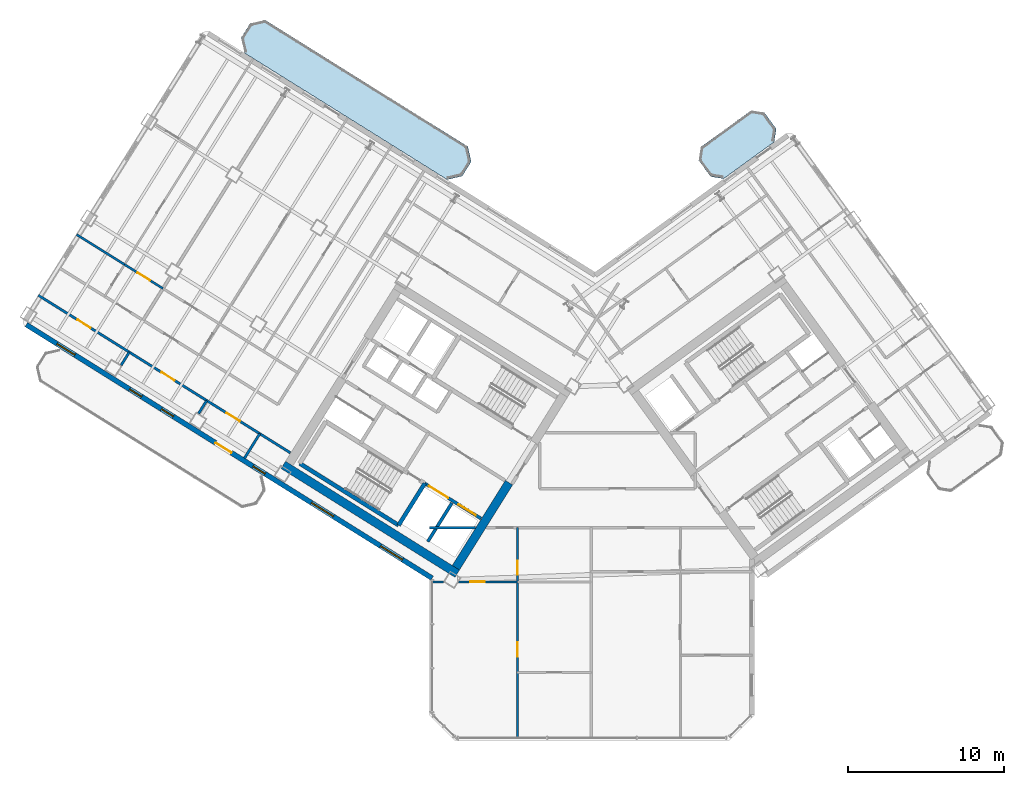
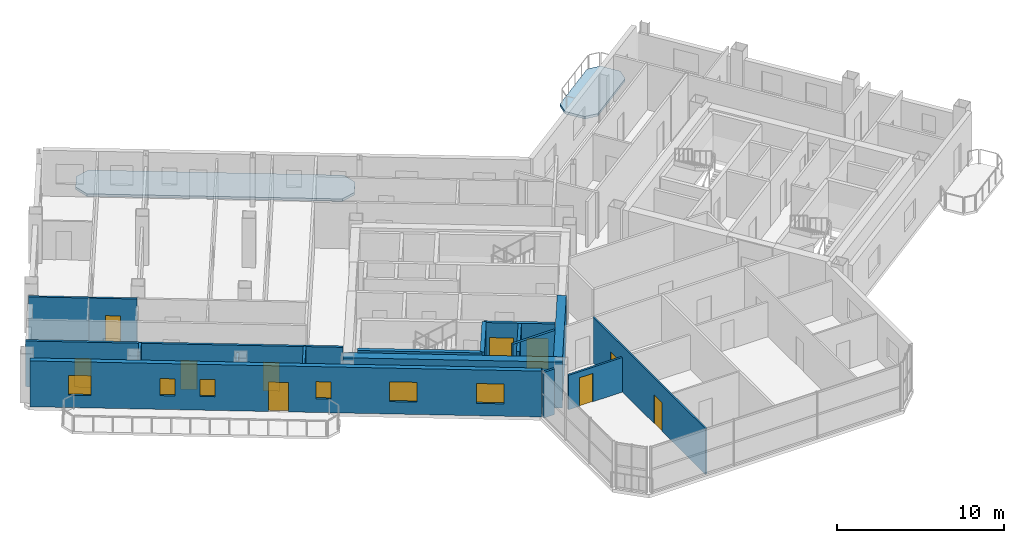
# One storey, part 11 of 20: 18 walls, 10 doors, 6 windows, 2 slabs, 16 openings.
"""IFC4 building model written with IfcOpenShell, lengths in metres."""

from ifc_helpers import new_model, si_unit, direction, frame, frame_2d, origin, place, context, subcontext, project, spatial, polyline, rectangle, outline, extrude, source, transform, mapped, material, layer, layer_set, type_object, element, fill, save


model = new_model("IFC4")

# Units and contexts
model_context = context("Model", 3, precision=1e-05, world=origin(), true_north=direction((0.0, 1.0)))
body_context = subcontext(model_context, "Body", "Model", "MODEL_VIEW")
ifc_project = project(units=[si_unit("LENGTHUNIT", "METRE"), si_unit("AREAUNIT", "SQUARE_METRE"), si_unit("VOLUMEUNIT", "CUBIC_METRE"), si_unit("PLANEANGLEUNIT", "RADIAN"), si_unit("MASSUNIT", "GRAM", prefix="KILO")], contexts=[model_context])

# Site, building, storey
site_placement = place(None, origin())
site = spatial("IfcSite", under=ifc_project, at=site_placement, CompositionType="ELEMENT")
building_placement = place(site_placement, origin())
building = spatial("IfcBuilding", under=site, at=building_placement, Name="Tlacorven Tower", CompositionType="ELEMENT")
storey_placement = place(building_placement, frame((0.0, 0.0, 204.0)))
storey = spatial("IfcBuildingStorey", under=building, at=storey_placement, Name="L51", CompositionType="ELEMENT", Elevation=204.0)

# Slabs
ifc_material_1 = material(Name="Precast concrete C45/55", Category="concrete")
ifc_layer_1 = layer(ifc_material_1, 0.179931640625)
ifc_layer_set_1 = layer_set([ifc_layer_1], Name="Precast concrete C45/55")
slab_type = type_object("IfcSlabType", Name="SL-BAL-180", PredefinedType="USERDEFINED", material=ifc_layer_set_1)
slab_1_placement = place(storey_placement, frame((0.0, 0.0, -0.179931640625)))
element("IfcSlab", 1, at=slab_1_placement, inside=storey, type_object=slab_type, Name="L51 West Wing Balcony Ribbon IN", ObjectType="BALCONY SLAB", PredefinedType="USERDEFINED", context=body_context, shape_type="SweptSolid", body=[
    extrude(outline(polyline([(34.0419921875, 39.835693359375), (21.06689453125, 47.943359375), (20.102294921875, 47.720703125), (19.52197265625, 46.7919921875), (19.744873046875, 45.827392578125), (32.719970703125, 37.7197265625), (33.6845703125, 37.9423828125), (34.2646484375, 38.87109375), (34.0419921875, 39.835693359375)])), origin(), (0.0, 0.0, 1.0), 0.179931640625),
])
slab_2_placement = place(storey_placement, frame((0.0, 0.0, -0.179931640625)))
element("IfcSlab", 2, at=slab_2_placement, inside=storey, type_object=slab_type, Name="L51 East Wing Balcony Ribbon IN", ObjectType="BALCONY SLAB", PredefinedType="USERDEFINED", context=body_context, shape_type="SweptSolid", body=[
    extrude(outline(polyline([(50.433837890625, 37.77880859375), (53.669921875, 40.1298828125), (53.802490234375, 40.968017578125), (53.04150390625, 42.015625), (52.203369140625, 42.1484375), (48.96728515625, 39.79736328125), (48.83447265625, 38.959228515625), (49.595703125, 37.91162109375), (50.433837890625, 37.77880859375)])), origin(), (0.0, 0.0, 1.0), 0.179931640625),
])

# Walls
ifc_material_2 = material(Name="Concrete C60/75", Category="concrete")
ifc_layer_2 = layer(ifc_material_2, 0.550048828125)
ifc_layer_set_2 = layer_set([ifc_layer_2], Name="Concrete C60/75")
wall_type_1 = type_object("IfcWallType", Name="WL-COR-550", PredefinedType="SHEAR", material=ifc_layer_set_2)
wall_1_placement = place(storey_placement, frame((33.3662109375, 12.4765625, 0.0), z_axis=(0.0, 0.0, 1.0), x_axis=(-0.848047359947, 0.529920442413, 0.0)))
element("IfcWall", 3, at=wall_1_placement, inside=storey, type_object=wall_type_1, Name="L51 W core shear wall S2", PredefinedType="SHEAR", context=body_context, shape_type="SweptSolid", body=[
    extrude(rectangle(XDim=13.139892578125, YDim=0.550048828125, at=frame_2d((6.56982421875, 0.0))), origin(), (0.0, 0.0, 1.0), 3.35009765625),
])
wall_2_placement = place(storey_placement, frame((36.683349609375, 18.30419921875, 0.0), z_axis=(0.0, 0.0, 1.0), x_axis=(-0.529896466841, -0.848062341122, 0.0)))
element("IfcWall", 4, at=wall_2_placement, inside=storey, type_object=wall_type_1, Name="L51 W core end wall E1.2", PredefinedType="SHEAR", context=body_context, shape_type="SweptSolid", body=[
    extrude(rectangle(XDim=6.4248046875, YDim=0.550048828125, at=frame_2d((3.21240234375, 0.0))), origin(), (0.0, 0.0, 1.0), 3.35009765625),
])
ifc_material_3 = material(Name="Gypsum plasterboard acoustic partition", Category="gypsum")
ifc_layer_3 = layer(ifc_material_3, 0.159912109375)
ifc_layer_set_3 = layer_set([ifc_layer_3], Name="Gypsum plasterboard acoustic partition")
wall_type_2 = type_object("IfcWallType", Name="WL-DEM-160", PredefinedType="PARTITIONING", material=ifc_layer_set_3)
wall_3_placement = place(storey_placement, frame((22.677001953125, 20.217041015625, 0.0), z_axis=(0.0, 0.0, 1.0), x_axis=(-0.848057719594, 0.529903863203, 0.0)))
element("IfcWall", 5, at=wall_3_placement, inside=storey, type_object=wall_type_2, Name="L51 partition 46", PredefinedType="PARTITIONING", context=body_context, shape_type="SweptSolid", body=[
    extrude(rectangle(XDim=2.308349609375, YDim=0.159912109375, at=frame_2d((1.154296875, 0.0))), origin(), (0.0, 0.0, 1.0), 3.340087890625),
])
wall_4_placement = place(storey_placement, frame((20.719482421875, 21.440185546875, 0.0), z_axis=(0.0, 0.0, 1.0), x_axis=(-0.529880305451, -0.848072439061, 0.0)))
element("IfcWall", 6, at=wall_4_placement, inside=storey, type_object=wall_type_2, Name="L51 partition 48", PredefinedType="PARTITIONING", context=body_context, shape_type="SweptSolid", body=[
    extrude(rectangle(XDim=1.849853515625, YDim=0.159912109375, at=frame_2d((0.9248046875, 0.0))), origin(), (0.0, 0.0, 1.0), 3.340087890625),
])

# Wall, openings, doors
wall_5_placement = place(storey_placement, frame((20.719482421875, 21.440185546875, 0.0), z_axis=(0.0, 0.0, 1.0), x_axis=(-0.848048310262, 0.529918921593, 0.0)))
wall_5 = element("IfcWall", 7, at=wall_5_placement, inside=storey, type_object=wall_type_2, Name="L51 Wing W Corridor North Wall", PredefinedType="PARTITIONING", context=body_context, shape_type="SweptSolid", body=[
    extrude(rectangle(XDim=16.72998046875, YDim=0.159912109375, at=frame_2d((8.364990234375, 0.0))), origin(), (0.0, 0.0, 1.0), 3.340087890625),
])
opening_1_placement = place(wall_5_placement, frame((1.5048828125, 0.0, 0.0)))
opening_1 = element("IfcOpeningElement", 8, at=opening_1_placement, cuts=wall_5, Name="Opening D11", PredefinedType="OPENING", context=body_context, shape_type="SweptSolid", body=[
    extrude(rectangle(XDim=1.0, YDim=2.10009765625, at=frame_2d((0.5, 1.050048828125))), frame((0.0, 0.08984375, 0.0), z_axis=(0.0, -1.0, 0.0), x_axis=(1.0, 0.0, 0.0)), (0.0, 0.0, 1.0), 0.179931640625),
])
opening_2_placement = place(wall_5_placement, frame((6.4345703125, 0.0, 0.0)))
opening_2 = element("IfcOpeningElement", 9, at=opening_2_placement, cuts=wall_5, Name="Opening D11", PredefinedType="OPENING", context=body_context, shape_type="SweptSolid", body=[
    extrude(rectangle(XDim=1.0, YDim=2.10009765625, at=frame_2d((0.5, 1.050048828125))), frame((0.0, 0.08984375, 0.0), z_axis=(0.0, -1.0, 0.0), x_axis=(1.0, 0.0, 0.0)), (0.0, 0.0, 1.0), 0.179931640625),
])
opening_3_placement = place(wall_5_placement, frame((12.784423828125, 0.0, 0.0)))
opening_3 = element("IfcOpeningElement", 10, at=opening_3_placement, cuts=wall_5, Name="Opening D11", PredefinedType="OPENING", context=body_context, shape_type="SweptSolid", body=[
    extrude(rectangle(XDim=1.0, YDim=2.10009765625, at=frame_2d((0.5, 1.050048828125))), frame((0.0, 0.08984375, 0.0), z_axis=(0.0, -1.0, 0.0), x_axis=(1.0, 0.0, 0.0)), (0.0, 0.0, 1.0), 0.179931640625),
])
ifc_material_4 = material(Name="Fire-rated steel door assembly", Category="steel")
door_type_1 = type_object("IfcDoorType", Name="DR-FLT-FD60-1000", OperationType="NOTDEFINED", PredefinedType="DOOR", material=ifc_material_4)
shared_shape_1 = source(origin(), body_context, "Body", "SweptSolid", [
    extrude(rectangle(XDim=1.0, YDim=2.10009765625, at=frame_2d((0.5, 1.050048828125))), frame((0.0, 0.02490234375, 0.0), z_axis=(0.0, -1.0, 0.0), x_axis=(1.0, 0.0, 0.0)), (0.0, 0.0, 1.0), 0.050048828125),
])
door_1_placement = place(opening_1_placement, origin())
door_1 = element("IfcDoor", 11, at=door_1_placement, inside=storey, type_object=door_type_1, Name="L51 door 020", OperationType="SINGLE_SWING_RIGHT", OverallHeight=2.10009765625, OverallWidth=1.0, PredefinedType="DOOR", context=body_context, shape_type="MappedRepresentation", body=[
    mapped(shared_shape_1, transform((0.0, 0.0, 0.0), scale=1.0)),
])
fill(opening_1, door_1)
door_2_placement = place(opening_2_placement, origin())
door_2 = element("IfcDoor", 12, at=door_2_placement, inside=storey, type_object=door_type_1, Name="L51 door 021", OperationType="SINGLE_SWING_LEFT", OverallHeight=2.10009765625, OverallWidth=1.0, PredefinedType="DOOR", context=body_context, shape_type="MappedRepresentation", body=[
    mapped(shared_shape_1, transform((0.0, 0.0, 0.0), scale=1.0)),
])
fill(opening_2, door_2)
door_3_placement = place(opening_3_placement, origin())
door_3 = element("IfcDoor", 13, at=door_3_placement, inside=storey, type_object=door_type_1, Name="L51 door 022", OperationType="SINGLE_SWING_RIGHT", OverallHeight=2.10009765625, OverallWidth=1.0, PredefinedType="DOOR", context=body_context, shape_type="MappedRepresentation", body=[
    mapped(shared_shape_1, transform((0.0, 0.0, 0.0), scale=1.0)),
])
fill(opening_3, door_3)

# Walls
wall_6_placement = place(storey_placement, frame((17.31884765625, 23.565185546875, 0.0), z_axis=(0.0, 0.0, 1.0), x_axis=(-0.529821225456, -0.848109349704, 0.0)))
element("IfcWall", 14, at=wall_6_placement, inside=storey, type_object=wall_type_2, Name="L51 partition 51", PredefinedType="PARTITIONING", context=body_context, shape_type="SweptSolid", body=[
    extrude(rectangle(XDim=0.988037109375, YDim=0.159912109375, at=frame_2d((0.494140625, 0.0))), origin(), (0.0, 0.0, 1.0), 2.824951171875),
])
wall_7_placement = place(storey_placement, frame((12.358642578125, 26.664794921875, 0.0), z_axis=(0.0, 0.0, 1.0), x_axis=(-0.529821225456, -0.848109349704, 0.0)))
element("IfcWall", 15, at=wall_7_placement, inside=storey, type_object=wall_type_2, Name="L51 partition 52", PredefinedType="PARTITIONING", context=body_context, shape_type="SweptSolid", body=[
    extrude(rectangle(XDim=0.988037109375, YDim=0.159912109375, at=frame_2d((0.494140625, 0.0))), origin(), (0.0, 0.0, 1.0), 3.340087890625),
])
wall_8_placement = place(storey_placement, frame((31.60009765625, 15.419921875, 0.0), z_axis=(0.0, 0.0, 1.0), x_axis=(1.0, 0.0, 0.0)))
element("IfcWall", 16, at=wall_8_placement, inside=storey, type_object=wall_type_2, Name="L51 Knuckle Corridor South Wall", PredefinedType="PARTITIONING", context=body_context, shape_type="SweptSolid", body=[
    extrude(rectangle(XDim=2.925048828125, YDim=0.159912109375, at=frame_2d((1.46240234375, 0.0))), origin(), (0.0, 0.0, 1.0), 3.340087890625),
])

# Wall, openings, door, windows
ifc_layer_4 = layer(ifc_material_1, 0.320068359375)
ifc_layer_set_4 = layer_set([ifc_layer_4], Name="Precast concrete C45/55")
wall_type_3 = type_object("IfcWallType", Name="WL-EXT-320", PredefinedType="STANDARD", material=ifc_layer_set_4)
wall_9_placement = place(storey_placement, frame((31.760009765625, 12.18310546875, 0.0), z_axis=(0.0, 0.0, 1.0), x_axis=(-0.848047074256, 0.529920899612, 0.0)))
wall_9 = element("IfcWall", 17, at=wall_9_placement, inside=storey, type_object=wall_type_3, Name="L51 Masonry-Frame Recessed Facade Wall 1", PredefinedType="STANDARD", context=body_context, shape_type="SweptSolid", body=[
    extrude(rectangle(XDim=30.652099609375, YDim=0.320068359375, at=frame_2d((15.326171875, 0.0))), origin(), (0.0, 0.0, 1.0), 3.35009765625),
])
opening_4_placement = place(wall_9_placement, frame((15.165771484375, 0.0, 0.0)))
opening_4 = element("IfcOpeningElement", 18, at=opening_4_placement, cuts=wall_9, Name="Opening D05", PredefinedType="OPENING", context=body_context, shape_type="SweptSolid", body=[
    extrude(rectangle(XDim=1.199951171875, YDim=2.14990234375, at=frame_2d((0.60009765625, 1.074951171875))), frame((0.0, 0.169921875, 0.0), z_axis=(0.0, -1.0, 0.0), x_axis=(1.0, 0.0, 0.0)), (0.0, 0.0, 1.0), 0.340087890625),
])
opening_5_placement = place(wall_9_placement, frame((2.239501953125, 0.0, 0.89990234375)))
opening_5 = element("IfcOpeningElement", 19, at=opening_5_placement, cuts=wall_9, Name="Opening WN07", PredefinedType="OPENING", context=body_context, shape_type="SweptSolid", body=[
    extrude(rectangle(XDim=1.64990234375, YDim=1.449951171875, at=frame_2d((0.824951171875, 0.72509765625))), frame((0.0, 0.169921875, 0.0), z_axis=(0.0, -1.0, 0.0), x_axis=(1.0, 0.0, 0.0)), (0.0, 0.0, 1.0), 0.340087890625),
])
opening_6_placement = place(wall_9_placement, frame((7.46875, 0.0, 0.89990234375)))
opening_6 = element("IfcOpeningElement", 20, at=opening_6_placement, cuts=wall_9, Name="Opening WN07", PredefinedType="OPENING", context=body_context, shape_type="SweptSolid", body=[
    extrude(rectangle(XDim=1.64990234375, YDim=1.449951171875, at=frame_2d((0.824951171875, 0.72509765625))), frame((0.0, 0.169921875, 0.0), z_axis=(0.0, -1.0, 0.0), x_axis=(1.0, 0.0, 0.0)), (0.0, 0.0, 1.0), 0.340087890625),
])
opening_7_placement = place(wall_9_placement, frame((12.623291015625, 0.0, 1.0)))
opening_7 = element("IfcOpeningElement", 21, at=opening_7_placement, cuts=wall_9, Name="Opening WN05", PredefinedType="OPENING", context=body_context, shape_type="SweptSolid", body=[
    extrude(rectangle(XDim=0.89990234375, YDim=1.25, at=frame_2d((0.449951171875, 0.625))), frame((0.0, 0.169921875, 0.0), z_axis=(0.0, -1.0, 0.0), x_axis=(1.0, 0.0, 0.0)), (0.0, 0.0, 1.0), 0.340087890625),
])
opening_8_placement = place(wall_9_placement, frame((19.5556640625, 0.0, 1.0)))
opening_8 = element("IfcOpeningElement", 22, at=opening_8_placement, cuts=wall_9, Name="Opening WN05", PredefinedType="OPENING", context=body_context, shape_type="SweptSolid", body=[
    extrude(rectangle(XDim=0.89990234375, YDim=1.25, at=frame_2d((0.449951171875, 0.625))), frame((0.0, 0.169921875, 0.0), z_axis=(0.0, -1.0, 0.0), x_axis=(1.0, 0.0, 0.0)), (0.0, 0.0, 1.0), 0.340087890625),
])
opening_9_placement = place(wall_9_placement, frame((21.9501953125, 0.0, 1.0)))
opening_9 = element("IfcOpeningElement", 23, at=opening_9_placement, cuts=wall_9, Name="Opening WN05", PredefinedType="OPENING", context=body_context, shape_type="SweptSolid", body=[
    extrude(rectangle(XDim=0.89990234375, YDim=1.25, at=frame_2d((0.449951171875, 0.625))), frame((0.0, 0.169921875, 0.0), z_axis=(0.0, -1.0, 0.0), x_axis=(1.0, 0.0, 0.0)), (0.0, 0.0, 1.0), 0.340087890625),
])
opening_10_placement = place(wall_9_placement, frame((26.9833984375, 0.0, 0.89990234375)))
opening_10 = element("IfcOpeningElement", 24, at=opening_10_placement, cuts=wall_9, Name="Opening WN08", PredefinedType="OPENING", context=body_context, shape_type="SweptSolid", body=[
    extrude(rectangle(XDim=1.35009765625, YDim=1.449951171875, at=frame_2d((0.675048828125, 0.72509765625))), frame((0.0, 0.169921875, 0.0), z_axis=(0.0, -1.0, 0.0), x_axis=(1.0, 0.0, 0.0)), (0.0, 0.0, 1.0), 0.340087890625),
])
ifc_material_5 = material(Name="Powder-coated aluminium and timber door", Category="wood")
door_type_2 = type_object("IfcDoorType", Name="DR-EXT-BALC-1200", OperationType="NOTDEFINED", PredefinedType="DOOR", material=ifc_material_5)
shared_shape_2 = source(origin(), body_context, "Body", "SweptSolid", [
    extrude(rectangle(XDim=1.199951171875, YDim=2.14990234375, at=frame_2d((0.60009765625, 1.074951171875))), frame((0.0, 0.02490234375, 0.0), z_axis=(0.0, -1.0, 0.0), x_axis=(1.0, 0.0, 0.0)), (0.0, 0.0, 1.0), 0.050048828125),
])
door_4_placement = place(opening_4_placement, origin())
door_4 = element("IfcDoor", 25, at=door_4_placement, inside=storey, type_object=door_type_2, Name="L51 Outdoor Access Door BAL-L51-W-OUT", OperationType="SINGLE_SWING_LEFT", OverallHeight=2.14990234375, OverallWidth=1.199951171875, PredefinedType="DOOR", context=body_context, shape_type="MappedRepresentation", body=[
    mapped(shared_shape_2, transform((0.0, 0.0, 0.0), scale=1.0)),
])
fill(opening_4, door_4)
ifc_material_6 = material(Name="Dark solar low-E double glazing in anodised aluminium frame", Category="aluminium")
window_type_1 = type_object("IfcWindowType", Name="WN-APT-0900X1350", PartitioningType="SINGLE_PANEL", PredefinedType="WINDOW", material=ifc_material_6)
shared_shape_3 = source(origin(), body_context, "Body", "SweptSolid", [
    extrude(rectangle(XDim=0.89990234375, YDim=1.25, at=frame_2d((0.449951171875, 0.625))), frame((0.0, 0.030029296875, 0.0), z_axis=(0.0, -1.0, 0.0), x_axis=(1.0, 0.0, 0.0)), (0.0, 0.0, 1.0), 0.06005859375),
])
window_1_placement = place(opening_7_placement, origin())
window_1 = element("IfcWindow", 26, at=window_1_placement, inside=storey, type_object=window_type_1, Name="L51 Recessed Masonry-Frame Window L51-01.3", OverallHeight=1.25, OverallWidth=0.89990234375, PartitioningType="SINGLE_PANEL", PredefinedType="WINDOW", context=body_context, shape_type="MappedRepresentation", body=[
    mapped(shared_shape_3, transform((0.0, 0.0, 0.0), scale=1.0)),
])
fill(opening_7, window_1)
window_2_placement = place(opening_8_placement, origin())
window_2 = element("IfcWindow", 27, at=window_2_placement, inside=storey, type_object=window_type_1, Name="L51 Recessed Masonry-Frame Window L51-01.4", OverallHeight=1.25, OverallWidth=0.89990234375, PartitioningType="SINGLE_PANEL", PredefinedType="WINDOW", context=body_context, shape_type="MappedRepresentation", body=[
    mapped(shared_shape_3, transform((0.0, 0.0, 0.0), scale=1.0)),
])
fill(opening_8, window_2)
window_3_placement = place(opening_9_placement, origin())
window_3 = element("IfcWindow", 28, at=window_3_placement, inside=storey, type_object=window_type_1, Name="L51 Recessed Masonry-Frame Window L51-01.5", OverallHeight=1.25, OverallWidth=0.89990234375, PartitioningType="SINGLE_PANEL", PredefinedType="WINDOW", context=body_context, shape_type="MappedRepresentation", body=[
    mapped(shared_shape_3, transform((0.0, 0.0, 0.0), scale=1.0)),
])
fill(opening_9, window_3)
window_type_2 = type_object("IfcWindowType", Name="WN-APT-1650X1600", PartitioningType="SINGLE_PANEL", PredefinedType="WINDOW", material=ifc_material_6)
shared_shape_4 = source(origin(), body_context, "Body", "SweptSolid", [
    extrude(rectangle(XDim=1.64990234375, YDim=1.449951171875, at=frame_2d((0.824951171875, 0.72509765625))), frame((0.0, 0.030029296875, 0.0), z_axis=(0.0, -1.0, 0.0), x_axis=(1.0, 0.0, 0.0)), (0.0, 0.0, 1.0), 0.06005859375),
])
window_4_placement = place(opening_5_placement, origin())
window_4 = element("IfcWindow", 29, at=window_4_placement, inside=storey, type_object=window_type_2, Name="L51 Recessed Masonry-Frame Window L51-01.1", OverallHeight=1.449951171875, OverallWidth=1.64990234375, PartitioningType="SINGLE_PANEL", PredefinedType="WINDOW", context=body_context, shape_type="MappedRepresentation", body=[
    mapped(shared_shape_4, transform((0.0, 0.0, 0.0), scale=1.0)),
])
fill(opening_5, window_4)
window_5_placement = place(opening_6_placement, origin())
window_5 = element("IfcWindow", 30, at=window_5_placement, inside=storey, type_object=window_type_2, Name="L51 Recessed Masonry-Frame Window L51-01.2", OverallHeight=1.449951171875, OverallWidth=1.64990234375, PartitioningType="SINGLE_PANEL", PredefinedType="WINDOW", context=body_context, shape_type="MappedRepresentation", body=[
    mapped(shared_shape_4, transform((0.0, 0.0, 0.0), scale=1.0)),
])
fill(opening_6, window_5)
window_type_3 = type_object("IfcWindowType", Name="WN-APT-1350X1550", PartitioningType="SINGLE_PANEL", PredefinedType="WINDOW", material=ifc_material_6)
shared_shape_5 = source(origin(), body_context, "Body", "SweptSolid", [
    extrude(rectangle(XDim=1.35009765625, YDim=1.449951171875, at=frame_2d((0.675048828125, 0.72509765625))), frame((0.0, 0.030029296875, 0.0), z_axis=(0.0, -1.0, 0.0), x_axis=(1.0, 0.0, 0.0)), (0.0, 0.0, 1.0), 0.06005859375),
])
window_6_placement = place(opening_10_placement, origin())
window_6 = element("IfcWindow", 31, at=window_6_placement, inside=storey, type_object=window_type_3, Name="L51 Recessed Masonry-Frame Window L51-01.6", OverallHeight=1.449951171875, OverallWidth=1.35009765625, PartitioningType="SINGLE_PANEL", PredefinedType="WINDOW", context=body_context, shape_type="MappedRepresentation", body=[
    mapped(shared_shape_5, transform((0.0, 0.0, 0.0), scale=1.0)),
])
fill(opening_10, window_6)

# Wall, openings, doors
ifc_material_7 = material(Name="Gypsum plasterboard partition", Category="gypsum")
ifc_layer_5 = layer(ifc_material_7, 0.110107421875)
ifc_layer_set_5 = layer_set([ifc_layer_5], Name="Gypsum plasterboard partition")
wall_type_4 = type_object("IfcWallType", Name="WL-INT-110", PredefinedType="PARTITIONING", material=ifc_layer_set_5)
wall_10_placement = place(storey_placement, frame((37.221923828125, 1.9599609375, 0.0), z_axis=(0.0, 0.0, 1.0), x_axis=(0.0, 1.0, 0.0)))
wall_10 = element("IfcWall", 32, at=wall_10_placement, inside=storey, type_object=wall_type_4, Name="L51 partition 76", PredefinedType="PARTITIONING", context=body_context, shape_type="SweptSolid", body=[
    extrude(rectangle(XDim=13.4599609375, YDim=0.110107421875, at=frame_2d((6.72998046875, 0.0))), origin(), (0.0, 0.0, 1.0), 3.340087890625),
])
opening_11_placement = place(wall_10_placement, frame((5.199951171875, 0.0, 0.0)))
opening_11 = element("IfcOpeningElement", 33, at=opening_11_placement, cuts=wall_10, Name="Opening D12", PredefinedType="OPENING", context=body_context, shape_type="SweptSolid", body=[
    extrude(rectangle(XDim=0.919921875, YDim=2.080078125, at=frame_2d((0.4599609375, 1.0400390625))), frame((0.0, 0.06494140625, 0.0), z_axis=(0.0, -1.0, 0.0), x_axis=(1.0, 0.0, 0.0)), (0.0, 0.0, 1.0), 0.130126953125),
])
opening_12_placement = place(wall_10_placement, frame((10.449951171875, 0.0, 0.0)))
opening_12 = element("IfcOpeningElement", 34, at=opening_12_placement, cuts=wall_10, Name="Opening D13", PredefinedType="OPENING", context=body_context, shape_type="SweptSolid", body=[
    extrude(rectangle(XDim=0.8798828125, YDim=2.080078125, at=frame_2d((0.43994140625, 1.0400390625))), frame((0.0, 0.06494140625, 0.0), z_axis=(0.0, -1.0, 0.0), x_axis=(1.0, 0.0, 0.0)), (0.0, 0.0, 1.0), 0.130126953125),
])
door_type_3 = type_object("IfcDoorType", Name="DR-INT-WET-0880", OperationType="NOTDEFINED", PredefinedType="DOOR", material=ifc_material_5)
shared_shape_6 = source(origin(), body_context, "Body", "SweptSolid", [
    extrude(rectangle(XDim=0.8798828125, YDim=2.080078125, at=frame_2d((0.43994140625, 1.0400390625))), frame((0.0, 0.02490234375, 0.0), z_axis=(0.0, -1.0, 0.0), x_axis=(1.0, 0.0, 0.0)), (0.0, 0.0, 1.0), 0.050048828125),
])
door_5_placement = place(opening_12_placement, origin())
door_5 = element("IfcDoor", 35, at=door_5_placement, inside=storey, type_object=door_type_3, Name="L51 door 045", OperationType="SINGLE_SWING_LEFT", OverallHeight=2.080078125, OverallWidth=0.8798828125, PredefinedType="DOOR", context=body_context, shape_type="MappedRepresentation", body=[
    mapped(shared_shape_6, transform((0.0, 0.0, 0.0), scale=1.0)),
])
fill(opening_12, door_5)
door_type_4 = type_object("IfcDoorType", Name="DR-INT-ROOM-0920", OperationType="NOTDEFINED", PredefinedType="DOOR", material=ifc_material_5)
shared_shape_7 = source(origin(), body_context, "Body", "SweptSolid", [
    extrude(rectangle(XDim=0.919921875, YDim=2.080078125, at=frame_2d((0.4599609375, 1.0400390625))), frame((0.0, 0.02490234375, 0.0), z_axis=(0.0, -1.0, 0.0), x_axis=(1.0, 0.0, 0.0)), (0.0, 0.0, 1.0), 0.050048828125),
])
door_6_placement = place(opening_11_placement, origin())
door_6 = element("IfcDoor", 36, at=door_6_placement, inside=storey, type_object=door_type_4, Name="L51 door 041", OperationType="SINGLE_SWING_LEFT", OverallHeight=2.080078125, OverallWidth=0.919921875, PredefinedType="DOOR", context=body_context, shape_type="MappedRepresentation", body=[
    mapped(shared_shape_7, transform((0.0, 0.0, 0.0), scale=1.0)),
])
fill(opening_11, door_6)

# Wall, opening, door
ifc_material_8 = material(Name="Moisture-resistant gypsum plumbing wall", Category="gypsum")
ifc_layer_6 = layer(ifc_material_8, 0.139892578125)
ifc_layer_set_6 = layer_set([ifc_layer_6], Name="Moisture-resistant gypsum plumbing wall")
wall_type_5 = type_object("IfcWallType", Name="WL-PLM-140", PredefinedType="PLUMBINGWALL", material=ifc_layer_set_6)
wall_11_placement = place(storey_placement, frame((14.515625, 30.7412109375, 0.0), z_axis=(0.0, 0.0, 1.0), x_axis=(-0.848059786386, 0.529900555496, 0.0)))
wall_11 = element("IfcWall", 37, at=wall_11_placement, inside=storey, type_object=wall_type_5, Name="L51 partition 61", PredefinedType="PLUMBINGWALL", context=body_context, shape_type="SweptSolid", body=[
    extrude(rectangle(XDim=2.89990234375, YDim=0.139892578125, at=frame_2d((1.449951171875, 0.0))), origin(), (0.0, 0.0, 1.0), 3.340087890625),
])
opening_13_placement = place(wall_11_placement, frame((0.989990234375, 0.0, 0.0)))
opening_13 = element("IfcOpeningElement", 38, at=opening_13_placement, cuts=wall_11, Name="Opening D12", PredefinedType="OPENING", context=body_context, shape_type="SweptSolid", body=[
    extrude(rectangle(XDim=0.919921875, YDim=2.080078125, at=frame_2d((0.4599609375, 1.0400390625))), frame((0.0, 0.080078125, 0.0), z_axis=(0.0, -1.0, 0.0), x_axis=(1.0, 0.0, 0.0)), (0.0, 0.0, 1.0), 0.159912109375),
])
door_7_placement = place(opening_13_placement, origin())
door_7 = element("IfcDoor", 39, at=door_7_placement, inside=storey, type_object=door_type_4, Name="L51 door 031", OperationType="SINGLE_SWING_LEFT", OverallHeight=2.080078125, OverallWidth=0.919921875, PredefinedType="DOOR", context=body_context, shape_type="MappedRepresentation", body=[
    mapped(shared_shape_7, transform((0.0, 0.0, 0.0), scale=1.0)),
])
fill(opening_13, door_7)

# Walls
wall_12_placement = place(storey_placement, frame((12.056396484375, 32.27783203125, 0.0), z_axis=(0.0, 0.0, 1.0), x_axis=(-0.848039976902, 0.529932257535, 0.0)))
element("IfcWall", 40, at=wall_12_placement, inside=storey, type_object=wall_type_5, Name="L51 partition 62", PredefinedType="PLUMBINGWALL", context=body_context, shape_type="SweptSolid", body=[
    extrude(rectangle(XDim=3.6201171875, YDim=0.139892578125, at=frame_2d((1.81005859375, 0.0))), origin(), (0.0, 0.0, 1.0), 3.340087890625),
])
wall_13_placement = place(storey_placement, frame((31.739990234375, 11.949951171875, 0.0), z_axis=(0.0, 0.0, 1.0), x_axis=(1.0, 0.0, 0.0)))
element("IfcWall", 41, at=wall_13_placement, inside=storey, type_object=wall_type_5, Name="L51 partition 77", PredefinedType="PLUMBINGWALL", context=body_context, shape_type="SweptSolid", body=[
    extrude(rectangle(XDim=0.747802734375, YDim=0.139892578125, at=frame_2d((0.3740234375, 0.0))), origin(), (0.0, 0.0, 1.0), 3.340087890625),
])

# Wall, opening, door
wall_14_placement = place(storey_placement, frame((33.446533203125, 11.949951171875, 0.0), z_axis=(0.0, 0.0, 1.0), x_axis=(1.0, 0.0, 0.0)))
wall_14 = element("IfcWall", 42, at=wall_14_placement, inside=storey, type_object=wall_type_5, Name="L51 partition 77", PredefinedType="PLUMBINGWALL", context=body_context, shape_type="SweptSolid", body=[
    extrude(rectangle(XDim=3.775390625, YDim=0.139892578125, at=frame_2d((1.8876953125, 0.0))), origin(), (0.0, 0.0, 1.0), 2.52490234375),
])
opening_14_placement = place(wall_14_placement, frame((0.754638671875, 0.0, 0.0)))
opening_14 = element("IfcOpeningElement", 43, at=opening_14_placement, cuts=wall_14, Name="Opening D12", PredefinedType="OPENING", context=body_context, shape_type="SweptSolid", body=[
    extrude(rectangle(XDim=0.919921875, YDim=2.080078125, at=frame_2d((0.4599609375, 1.0400390625))), frame((0.0, 0.080078125, 0.0), z_axis=(0.0, -1.0, 0.0), x_axis=(1.0, 0.0, 0.0)), (0.0, 0.0, 1.0), 0.159912109375),
])
door_8_placement = place(opening_14_placement, frame((0.919921875, 0.0, 0.0), z_axis=(0.0, 0.0, 1.0), x_axis=(-1.0, 0.0, 0.0)))
door_8 = element("IfcDoor", 44, at=door_8_placement, inside=storey, type_object=door_type_4, Name="L51 door 044", OperationType="SINGLE_SWING_RIGHT", OverallHeight=2.080078125, OverallWidth=0.919921875, PredefinedType="DOOR", context=body_context, shape_type="MappedRepresentation", body=[
    mapped(shared_shape_7, transform((0.0, 0.0, 0.0), scale=1.0)),
])
fill(opening_14, door_8)

# Wall, openings, doors
ifc_material_9 = material(Name="Concrete C40/50", Category="concrete")
ifc_layer_7 = layer(ifc_material_9, 0.199951171875)
ifc_layer_set_7 = layer_set([ifc_layer_7], Name="Concrete C40/50")
wall_type_6 = type_object("IfcWallType", Name="WL-SHF-200", PredefinedType="STANDARD", material=ifc_layer_set_7)
wall_15_placement = place(storey_placement, frame((34.890625, 16.0048828125, 0.0), z_axis=(0.0, 0.0, 1.0), x_axis=(-0.848062873452, 0.529895614884, 0.0)))
wall_15 = element("IfcWall", 45, at=wall_15_placement, inside=storey, type_object=wall_type_6, Name="L51 Core W Firefighting Lift Shaft Front Wall", PredefinedType="STANDARD", context=body_context, shape_type="SweptSolid", body=[
    extrude(rectangle(XDim=4.248046875, YDim=0.199951171875, at=frame_2d((2.1240234375, 0.0))), origin(), (0.0, 0.0, 1.0), 3.340087890625),
])
opening_15_placement = place(wall_15_placement, frame((0.39794921875, 0.0, 0.0)))
opening_15 = element("IfcOpeningElement", 46, at=opening_15_placement, cuts=wall_15, Name="Opening LD03", PredefinedType="OPENING", context=body_context, shape_type="SweptSolid", body=[
    extrude(rectangle(XDim=1.300048828125, YDim=2.199951171875, at=frame_2d((0.64990234375, 1.10009765625))), frame((0.0, 0.10986328125, 0.0), z_axis=(0.0, -1.0, 0.0), x_axis=(1.0, 0.0, 0.0)), (0.0, 0.0, 1.0), 0.219970703125),
])
opening_16_placement = place(wall_15_placement, frame((2.472900390625, 0.0, 0.0)))
opening_16 = element("IfcOpeningElement", 47, at=opening_16_placement, cuts=wall_15, Name="Opening LD04", PredefinedType="OPENING", context=body_context, shape_type="SweptSolid", body=[
    extrude(rectangle(XDim=1.449951171875, YDim=2.25, at=frame_2d((0.72509765625, 1.125))), frame((0.0, 0.10986328125, 0.0), z_axis=(0.0, -1.0, 0.0), x_axis=(1.0, 0.0, 0.0)), (0.0, 0.0, 1.0), 0.219970703125),
])
door_type_5 = type_object("IfcDoorType", Name="DR-LFT-SLID-1300", OperationType="DOUBLE_DOOR_SLIDING", PredefinedType="DOOR", material=ifc_material_4)
shared_shape_8 = source(origin(), body_context, "Body", "SweptSolid", [
    extrude(rectangle(XDim=1.300048828125, YDim=2.199951171875, at=frame_2d((0.64990234375, 1.10009765625))), frame((0.0, 0.02490234375, 0.0), z_axis=(0.0, -1.0, 0.0), x_axis=(1.0, 0.0, 0.0)), (0.0, 0.0, 1.0), 0.050048828125),
])
door_9_placement = place(opening_15_placement, origin())
door_9 = element("IfcDoor", 48, at=door_9_placement, inside=storey, type_object=door_type_5, Name="L51 Lift FFL-W1 Sliding Landing Door", OperationType="DOUBLE_DOOR_SLIDING", OverallHeight=2.199951171875, OverallWidth=1.300048828125, PredefinedType="DOOR", context=body_context, shape_type="MappedRepresentation", body=[
    mapped(shared_shape_8, transform((0.0, 0.0, 0.0), scale=1.0)),
])
fill(opening_15, door_9)
door_type_6 = type_object("IfcDoorType", Name="DR-LFT-SLID-1450", OperationType="DOUBLE_DOOR_SLIDING", PredefinedType="DOOR", material=ifc_material_4)
shared_shape_9 = source(origin(), body_context, "Body", "SweptSolid", [
    extrude(rectangle(XDim=1.449951171875, YDim=2.25, at=frame_2d((0.72509765625, 1.125))), frame((0.0, 0.02490234375, 0.0), z_axis=(0.0, -1.0, 0.0), x_axis=(1.0, 0.0, 0.0)), (0.0, 0.0, 1.0), 0.050048828125),
])
door_10_placement = place(opening_16_placement, origin())
door_10 = element("IfcDoor", 49, at=door_10_placement, inside=storey, type_object=door_type_6, Name="L51 Lift SVL-W1 Sliding Landing Door", OperationType="DOUBLE_DOOR_SLIDING", OverallHeight=2.25, OverallWidth=1.449951171875, PredefinedType="DOOR", context=body_context, shape_type="MappedRepresentation", body=[
    mapped(shared_shape_9, transform((0.0, 0.0, 0.0), scale=1.0)),
])
fill(opening_16, door_10)

# Walls
wall_16_placement = place(storey_placement, frame((33.02880859375, 17.003173828125, 0.0), z_axis=(0.0, 0.0, 1.0), x_axis=(-0.529916267533, -0.848049968695, 0.0)))
element("IfcWall", 50, at=wall_16_placement, inside=storey, type_object=wall_type_6, Name="L51 partition 14", PredefinedType="STANDARD", context=body_context, shape_type="SweptSolid", body=[
    extrude(rectangle(XDim=2.919921875, YDim=0.199951171875, at=frame_2d((1.4599609375, 0.0))), origin(), (0.0, 0.0, 1.0), 3.340087890625),
])
ifc_material_10 = material(Name="Concrete C50/60", Category="concrete")
ifc_layer_8 = layer(ifc_material_10, 0.260009765625)
ifc_layer_set_8 = layer_set([ifc_layer_8], Name="Concrete C50/60")
wall_type_7 = type_object("IfcWallType", Name="WL-STW-260", PredefinedType="SHEAR", material=ifc_layer_set_8)
wall_17_placement = place(storey_placement, frame((29.60498046875, 15.581298828125, 0.0), z_axis=(0.0, 0.0, 1.0), x_axis=(-0.848036911448, 0.529937163087, 0.0)))
element("IfcWall", 51, at=wall_17_placement, inside=storey, type_object=wall_type_7, Name="L51 Stair W1 Far Shear Wall", PredefinedType="SHEAR", context=body_context, shape_type="SweptSolid", body=[
    extrude(rectangle(XDim=7.4599609375, YDim=0.260009765625, at=frame_2d((3.72998046875, 0.0))), origin(), (0.0, 0.0, 1.0), 3.35009765625),
])
wall_18_placement = place(storey_placement, frame((31.2880859375, 18.255859375, 0.0), z_axis=(0.0, 0.0, 1.0), x_axis=(-0.529943379326, -0.848033026897, 0.0)))
element("IfcWall", 52, at=wall_18_placement, inside=storey, type_object=wall_type_7, Name="L51 Stair W1 West Shear Wall", PredefinedType="SHEAR", context=body_context, shape_type="SweptSolid", body=[
    extrude(rectangle(XDim=3.159912109375, YDim=0.260009765625, at=frame_2d((1.580078125, 0.0))), origin(), (0.0, 0.0, 1.0), 3.35009765625),
])

save(model, "model.ifc")
